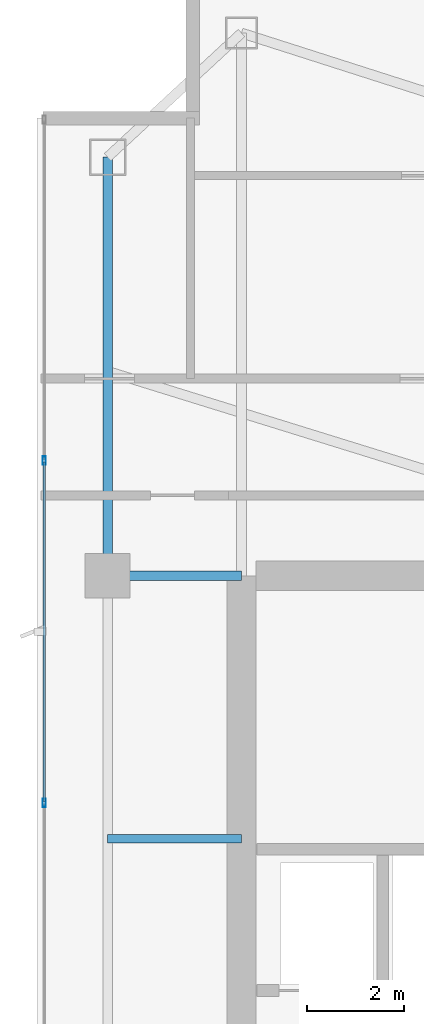
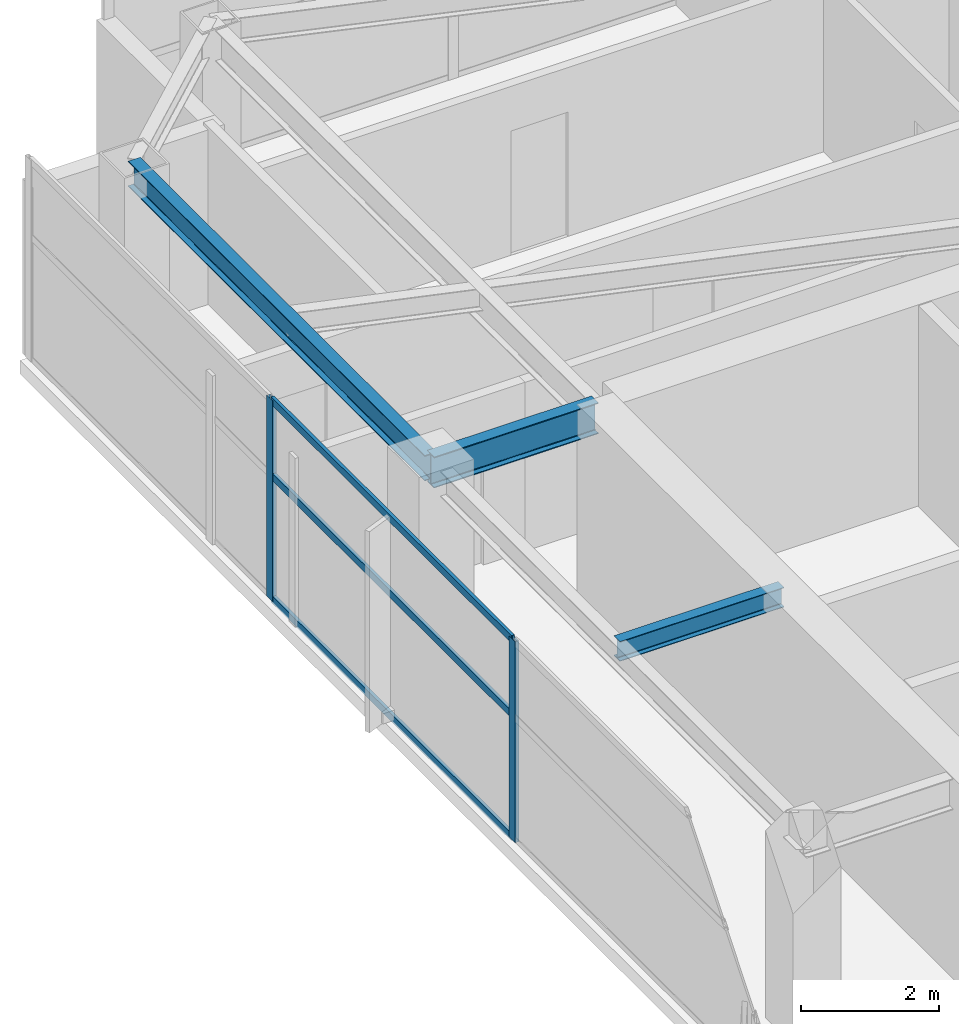
# One storey, part 16 of 28: 5 members, 3 beams, 1 element without a shape of its own.
"""IFC4 building model written with IfcOpenShell, lengths in metres."""

import ifcopenshell
import ifcopenshell.guid

model = None  # the IFC model being written
_history = None  # IfcOwnerHistory: only IFC2X3 demands one
_inside = {}  # id of a spatial element -> (the spatial element, [elements in it])
_under = {}  # id of a project, library or spatial element -> (it, [spatial elements below it])
_declared = {}  # id of a project -> (the project, [libraries it declares])
_typed = {}  # id of a type object -> (the type object, [elements of that type])
_made_of = {}  # id of a material, layer set ... -> (it, [elements and type objects made of it])


def new_model(schema):
    """Start an empty IFC model of exactly this schema.

    Asked for "IFC4X3", IfcOpenShell would pick the latest addendum, in which some entities
    have other attributes; the version numbers below select the first issue.
    IFC2X3 requires an IfcOwnerHistory on every rooted entity: one is made here for all.
    """
    global model, _history
    if schema == "IFC4X3":
        model = ifcopenshell.file(schema_version=(4, 3, 0, 0))
    else:
        model = ifcopenshell.file(schema=schema)
    _inside.clear()
    _under.clear()
    _declared.clear()
    _typed.clear()
    _made_of.clear()
    _history = None
    if model.schema == "IFC2X3":
        org = make("IfcOrganization", Name="unknown")
        user = make(
            "IfcPersonAndOrganization",
            ThePerson=make("IfcPerson", FamilyName="unknown"),
            TheOrganization=org,
        )
        app = make(
            "IfcApplication",
            ApplicationDeveloper=org,
            Version="unknown",
            ApplicationFullName="unknown",
            ApplicationIdentifier="unknown",
        )
        _history = make(
            "IfcOwnerHistory",
            OwningUser=user,
            OwningApplication=app,
            ChangeAction="ADDED",
            CreationDate=0,
        )
    return model


def make(cls, **values):
    """One entity of the class cls with the attributes given. An attribute that is None is left unset."""
    return model.create_entity(
        cls, **{name: value for name, value in values.items() if value is not None}
    )


def rooted(cls, **values):
    """An entity with a GlobalId (a new one), such as an element, a storey or a relation."""
    return make(cls, GlobalId=ifcopenshell.guid.new(), OwnerHistory=_history, **values)


def si_unit(unit_type, name, prefix=None):
    """IfcSIUnit, for example si_unit("LENGTHUNIT", "METRE", prefix="MILLI")."""
    return make("IfcSIUnit", UnitType=unit_type, Prefix=prefix, Name=name)


def assignment(units):
    """IfcUnitAssignment: the units of a project."""
    return None if units is None else make("IfcUnitAssignment", Units=units)


def point(xyz):
    """IfcCartesianPoint."""
    return None if xyz is None else make("IfcCartesianPoint", Coordinates=xyz)


def direction(xyz):
    """IfcDirection."""
    return None if xyz is None else make("IfcDirection", DirectionRatios=xyz)


def frame(location, z_axis=None, x_axis=None):
    """IfcAxis2Placement3D, a coordinate frame: its origin and axes. An axis left out is left unset."""
    return make(
        "IfcAxis2Placement3D",
        Location=point(location),
        Axis=direction(z_axis),
        RefDirection=direction(x_axis),
    )


def frame_2d(location, x_axis=None):
    """IfcAxis2Placement2D, a coordinate frame in the plane: its origin and x axis."""
    return make(
        "IfcAxis2Placement2D", Location=point(location), RefDirection=direction(x_axis)
    )


def origin():
    """The frame at (0, 0, 0) with its axes left unset."""
    return frame((0.0, 0.0, 0.0))


def origin_2d():
    """The frame at (0, 0) in the plane with its x axis left unset."""
    return frame_2d((0.0, 0.0))


def place(relative_to, where):
    """IfcLocalPlacement: puts the frame where relative to a parent placement (None: the world)."""
    return make(
        "IfcLocalPlacement", PlacementRelTo=relative_to, RelativePlacement=where
    )


def context(
    kind, dimensions, precision=None, world=None, true_north=None, identifier=None
):
    """IfcGeometricRepresentationContext, for example the 3D "Model" context."""
    return make(
        "IfcGeometricRepresentationContext",
        ContextIdentifier=identifier,
        ContextType=kind,
        CoordinateSpaceDimension=dimensions,
        Precision=precision,
        WorldCoordinateSystem=world,
        TrueNorth=true_north,
    )


def subcontext(parent, identifier, kind, view, scale=None):
    """IfcGeometricRepresentationSubContext, for example "Body" below "Model"."""
    return make(
        "IfcGeometricRepresentationSubContext",
        ContextIdentifier=identifier,
        ContextType=kind,
        ParentContext=parent,
        TargetScale=scale,
        TargetView=view,
    )


def project(units=None, contexts=None):
    """IfcProject with its units and contexts."""
    return rooted(
        "IfcProject",
        Name="project",
        RepresentationContexts=contexts,
        UnitsInContext=assignment(units),
    )


def spatial(cls, under=None, at=None, **own):
    """A site, building, storey or space (cls), placed at a placement, below another one or the project."""
    s = rooted(cls, ObjectPlacement=at, **own)
    if under is not None:
        _under.setdefault(under.id(), (under, []))[1].append(s)
    return s


def profile(cls, at=None, kind="AREA", **sizes):
    """A parametric profile (cls). Its sizes go by their IFC names, for example OverallWidth=200.0."""
    return make(cls, ProfileType=kind, Position=at, **sizes)


def hollow_rectangle(**sizes):
    """IfcRectangleHollowProfileDef."""
    return profile("IfcRectangleHollowProfileDef", **sizes)


def i_section(**sizes):
    """IfcIShapeProfileDef."""
    return profile("IfcIShapeProfileDef", **sizes)


def extrude(swept, where, along, depth):
    """IfcExtrudedAreaSolid: the profile swept, set in the frame where, extruded along a direction by depth."""
    return make(
        "IfcExtrudedAreaSolid",
        SweptArea=swept,
        Position=where,
        ExtrudedDirection=direction(along),
        Depth=depth,
    )


def shape(context_of_items, identifier, shape_type, items):
    """IfcShapeRepresentation: the items that make up one representation, for example the "Body"."""
    return make(
        "IfcShapeRepresentation",
        ContextOfItems=context_of_items,
        RepresentationIdentifier=identifier,
        RepresentationType=shape_type,
        Items=items,
    )


def material(Name=None, Category=None):
    """IfcMaterial."""
    return make("IfcMaterial", Name=Name, Category=Category)


def layer(
    of_material, thickness, ventilated=None, Name=None, Category=None, Priority=None
):
    """IfcMaterialLayer: one layer of a wall or slab, of a material (None: an air gap)."""
    return make(
        "IfcMaterialLayer",
        Material=of_material,
        LayerThickness=thickness,
        IsVentilated=ventilated,
        Name=Name,
        Category=Category,
        Priority=Priority,
    )


def layer_set(layers, Name=None):
    """IfcMaterialLayerSet."""
    return make("IfcMaterialLayerSet", MaterialLayers=layers, LayerSetName=Name)


def material_profile(
    of_material, cross_section, Name=None, Category=None, Priority=None
):
    """IfcMaterialProfile: a cross section and its material."""
    return make(
        "IfcMaterialProfile",
        Name=Name,
        Material=of_material,
        Profile=cross_section,
        Priority=Priority,
        Category=Category,
    )


def profile_set(profiles, Name=None, composite=None):
    """IfcMaterialProfileSet."""
    return make(
        "IfcMaterialProfileSet",
        Name=Name,
        MaterialProfiles=profiles,
        CompositeProfile=composite,
    )


def made_of(thing, what):
    """Note that an element or type object is made of a material, layer set ...; save() writes the relation."""
    if what is not None:
        _made_of.setdefault(what.id(), (what, []))[1].append(thing)
    return thing


def type_object(cls, material=None, **own):
    """A type object (cls), such as IfcWallType, which elements share."""
    return made_of(rooted(cls, **own), material)


def element(
    cls,
    number,
    at=None,
    inside=None,
    cuts=None,
    type_object=None,
    material=None,
    context=None,
    identifier="Body",
    shape_type=None,
    held_by="IfcProductDefinitionShape",
    body=None,
    shapes=None,
    **own,
):
    """One element of the class cls, such as IfcWall. Its Tag is "e" and its number.

    at: its placement. inside: the storey or other place that contains it. cuts: it is an
    opening in that element (IfcRelVoidsElement). A single representation is given by context,
    identifier, shape_type and body (its items); several are given by shapes. held_by: the class
    of the entity that holds the representations. save() writes the other relations.
    """
    e = rooted(cls, Tag="e%d" % number, ObjectPlacement=at, **own)
    if body is not None:
        shapes = [shape(context, identifier, shape_type, body)]
    if shapes is not None:
        e.Representation = make(held_by, Representations=shapes)
    if inside is not None:
        _inside.setdefault(inside.id(), (inside, []))[1].append(e)
    if cuts is not None:
        rooted(
            "IfcRelVoidsElement", RelatingBuildingElement=cuts, RelatedOpeningElement=e
        )
    if type_object is not None:
        _typed.setdefault(type_object.id(), (type_object, []))[1].append(e)
    return made_of(e, material)


def aggregate(whole, parts):
    """IfcRelAggregates: a whole, such as a stair, and the parts it consists of."""
    return rooted("IfcRelAggregates", RelatingObject=whole, RelatedObjects=parts)


def save(model, path):
    """Write the relations noted so far, then the file.

    IfcRelAggregates (storeys below a building ...), IfcRelContainedInSpatialStructure (elements
    in a storey), IfcRelDefinesByType, IfcRelAssociatesMaterial and IfcRelDeclares: one each for
    every whole, place, type object, material and project.
    """
    for whole, parts in _under.values():
        aggregate(whole, parts)
    for where, things in _inside.values():
        rooted(
            "IfcRelContainedInSpatialStructure",
            RelatedElements=things,
            RelatingStructure=where,
        )
    for kind, things in _typed.values():
        rooted("IfcRelDefinesByType", RelatedObjects=things, RelatingType=kind)
    for what, things in _made_of.values():
        rooted("IfcRelAssociatesMaterial", RelatedObjects=things, RelatingMaterial=what)
    for by, libraries in _declared.values():
        rooted("IfcRelDeclares", RelatingContext=by, RelatedDefinitions=libraries)
    model.write(path)


model = new_model("IFC4")

# Units and contexts
model_context = context("Model", 3, precision=1e-05, world=origin(), true_north=direction((0.0, 1.0)))
body_context = subcontext(model_context, "Body", "Model", "MODEL_VIEW")
ifc_project = project(units=[si_unit("LENGTHUNIT", "METRE"), si_unit("AREAUNIT", "SQUARE_METRE"), si_unit("VOLUMEUNIT", "CUBIC_METRE"), si_unit("PLANEANGLEUNIT", "RADIAN"), si_unit("MASSUNIT", "GRAM", prefix="KILO")], contexts=[model_context])

# Site, building, storey
site_placement = place(None, origin())
site = spatial("IfcSite", under=ifc_project, at=site_placement, CompositionType="ELEMENT")
building_placement = place(site_placement, origin())
building = spatial("IfcBuilding", under=site, at=building_placement, Name="Calvorn Quay Hotel", CompositionType="ELEMENT")
storey_placement = place(building_placement, frame((0.0, 0.0, 271.10009765625)))
storey = spatial("IfcBuildingStorey", under=building, at=storey_placement, Name="L67", CompositionType="ELEMENT", Elevation=271.10009765625)

# Beams
ifc_material_1 = material(Name="Steel Q355B", Category="steel")
ifc_material_profile_1 = material_profile(ifc_material_1, i_section(OverallWidth=0.199951171875, OverallDepth=0.550048828125, WebThickness=0.010009765625, FlangeThickness=0.01611328125, FilletRadius=0.01806640625, at=origin_2d()), Name="HN550x200x10x16")
ifc_profile_set_1 = profile_set([ifc_material_profile_1], Name="Steel Q355B")
beam_type_1 = type_object("IfcBeamType", Name="BM-GIRD-UPP", PredefinedType="BEAM", material=ifc_profile_set_1)
beam_1_placement = place(storey_placement, frame((1.449951171875, 38.39990234375, 3.264892578125), z_axis=(1.0, 0.0, 0.0), x_axis=(0.0, 1.0, 0.0)))
element("IfcBeam", 1, at=beam_1_placement, inside=storey, type_object=beam_type_1, Name="Beam BG-L67-W3", PredefinedType="BEAM", context=body_context, shape_type="SweptSolid", body=[
    extrude(i_section(OverallWidth=0.199951171875, OverallDepth=0.550048828125, WebThickness=0.010009765625, FlangeThickness=0.01611328125, FilletRadius=0.01806640625, at=origin_2d()), origin(), (0.0, 0.0, 1.0), 2.75),
])
ifc_material_2 = material(Name="Steel Q355B", Category="steel")
ifc_material_profile_2 = material_profile(ifc_material_2, i_section(OverallWidth=0.175048828125, OverallDepth=0.35009765625, WebThickness=0.007080078125, FlangeThickness=0.010986328125, FilletRadius=0.013916015625, at=origin_2d()), Name="HN350x175x7x11")
ifc_profile_set_2 = profile_set([ifc_material_profile_2], Name="Steel Q355B")
beam_type_2 = type_object("IfcBeamType", Name="BM-JOIST-SEC", PredefinedType="JOIST", material=ifc_profile_set_2)
beam_2_placement = place(storey_placement, frame((1.449951171875, 33.0, 3.364990234375), z_axis=(1.0, 0.0, 0.0), x_axis=(0.0, 1.0, 0.0)))
element("IfcBeam", 2, at=beam_2_placement, inside=storey, type_object=beam_type_2, Name="Beam BJ-L67-W4", PredefinedType="JOIST", context=body_context, shape_type="SweptSolid", body=[
    extrude(i_section(OverallWidth=0.175048828125, OverallDepth=0.35009765625, WebThickness=0.007080078125, FlangeThickness=0.010986328125, FilletRadius=0.013916015625, at=origin_2d()), origin(), (0.0, 0.0, 1.0), 2.75),
])
ifc_material_3 = material(Name="Steel Q355B", Category="steel")
ifc_material_profile_3 = material_profile(ifc_material_3, i_section(OverallWidth=0.199951171875, OverallDepth=0.449951171875, WebThickness=0.009033203125, FlangeThickness=0.013916015625, FilletRadius=0.01611328125, at=origin_2d()), Name="HN450x200x9x14")
ifc_profile_set_3 = profile_set([ifc_material_profile_3], Name="Steel Q355B")
beam_type_3 = type_object("IfcBeamType", Name="BM-SPANDREL-Z3", PredefinedType="SPANDREL", material=ifc_profile_set_3)
beam_3_placement = place(storey_placement, frame((1.449951171875, 38.39990234375, 3.31494140625), z_axis=(0.0, 1.0, 0.0), x_axis=(-1.0, 0.0, 0.0)))
element("IfcBeam", 3, at=beam_3_placement, inside=storey, type_object=beam_type_3, Name="Beam BSP-L67-W4", PredefinedType="SPANDREL", context=body_context, shape_type="SweptSolid", body=[
    extrude(i_section(OverallWidth=0.199951171875, OverallDepth=0.449951171875, WebThickness=0.009033203125, FlangeThickness=0.013916015625, FilletRadius=0.01611328125, at=origin_2d()), origin(), (0.0, 0.0, 1.0), 8.60009765625),
])

# Curtain wall, members
ifc_material_4 = material(Name="Champagne Bronze Anodised Aluminium and Low-E Glass", Category="aluminium")
ifc_layer = layer(ifc_material_4, 0.219970703125)
ifc_layer_set = layer_set([ifc_layer], Name="CW-SYS-Z4")
curtain_wall_type = type_object("IfcCurtainWallType", Name="CW-SYS-Z4", PredefinedType="NOTDEFINED", material=ifc_layer_set)
curtain_wall_placement = place(storey_placement, origin())
curtain_wall = element("IfcCurtainWall", 4, at=curtain_wall_placement, inside=storey, type_object=curtain_wall_type, Name="Tower West Curtain Wall (L67)", PredefinedType="NOTDEFINED")
ifc_material_5 = material(Name="Champagne Bronze Anodised Aluminium 6063-T6", Category="aluminium")
ifc_material_profile_4 = material_profile(ifc_material_5, hollow_rectangle(XDim=0.06494140625, YDim=0.169921875, WallThickness=0.00341796875, at=origin_2d()), Name="ALU-M170x65x3.5")
ifc_profile_set_4 = profile_set([ifc_material_profile_4], Name="Champagne Bronze Anodised Aluminium 6063-T6")
member_type_1 = type_object("IfcMemberType", Name="CW-SYS-Z4-MUL", PredefinedType="MULLION", material=ifc_profile_set_4)
member_1_placement = place(storey_placement, frame((0.14990234375, 33.7333984375, 0.0), z_axis=(0.0, 0.0, 1.0), x_axis=(-1.0, 0.0, 0.0)))
member_1 = element("IfcMember", 5, at=member_1_placement, type_object=member_type_1, Name="CW-L67-W mullion 5", PredefinedType="MULLION", context=body_context, shape_type="SweptSolid", body=[
    extrude(hollow_rectangle(XDim=0.06494140625, YDim=0.169921875, WallThickness=0.00341796875, at=origin_2d()), origin(), (0.0, 0.0, 1.0), 3.559814453125),
])
member_2_placement = place(storey_placement, frame((0.14990234375, 40.7666015625, 0.0), z_axis=(0.0, 0.0, 1.0), x_axis=(-1.0, 0.0, 0.0)))
member_2 = element("IfcMember", 6, at=member_2_placement, type_object=member_type_1, Name="CW-L67-W mullion 6", PredefinedType="MULLION", context=body_context, shape_type="SweptSolid", body=[
    extrude(hollow_rectangle(XDim=0.06494140625, YDim=0.169921875, WallThickness=0.00341796875, at=origin_2d()), origin(), (0.0, 0.0, 1.0), 3.559814453125),
])
ifc_material_6 = material(Name="Champagne Bronze Anodised Aluminium 6063-T6", Category="aluminium")
ifc_material_profile_5 = material_profile(ifc_material_6, hollow_rectangle(XDim=0.054931640625, YDim=0.1298828125, WallThickness=0.003173828125, at=origin_2d()), Name="ALU-T130x55x3.2")
ifc_profile_set_5 = profile_set([ifc_material_profile_5], Name="Champagne Bronze Anodised Aluminium 6063-T6")
member_type_2 = type_object("IfcMemberType", Name="CW-SYS-Z4-TRN", PredefinedType="USERDEFINED", material=ifc_profile_set_5)
member_3_placement = place(storey_placement, frame((0.14990234375, 33.763427734375, 0.02978515625), z_axis=(0.0, 1.0, 0.0), x_axis=(-1.0, 0.0, 0.0)))
member_3 = element("IfcMember", 7, at=member_3_placement, type_object=member_type_2, Name="CW-L67-W transom 5.1", ObjectType="TRANSOM", PredefinedType="USERDEFINED", context=body_context, shape_type="SweptSolid", body=[
    extrude(hollow_rectangle(XDim=0.054931640625, YDim=0.1298828125, WallThickness=0.003173828125, at=origin_2d()), origin(), (0.0, 0.0, 1.0), 6.97314453125),
])
member_4_placement = place(storey_placement, frame((0.14990234375, 33.763427734375, 2.199951171875), z_axis=(0.0, 1.0, 0.0), x_axis=(-1.0, 0.0, 0.0)))
member_4 = element("IfcMember", 8, at=member_4_placement, type_object=member_type_2, Name="CW-L67-W transom 5.2", ObjectType="TRANSOM", PredefinedType="USERDEFINED", context=body_context, shape_type="SweptSolid", body=[
    extrude(hollow_rectangle(XDim=0.054931640625, YDim=0.1298828125, WallThickness=0.003173828125, at=origin_2d()), origin(), (0.0, 0.0, 1.0), 6.97314453125),
])
member_5_placement = place(storey_placement, frame((0.14990234375, 33.763427734375, 3.52978515625), z_axis=(0.0, 1.0, 0.0), x_axis=(-1.0, 0.0, 0.0)))
member_5 = element("IfcMember", 9, at=member_5_placement, type_object=member_type_2, Name="CW-L67-W transom 5.3", ObjectType="TRANSOM", PredefinedType="USERDEFINED", context=body_context, shape_type="SweptSolid", body=[
    extrude(hollow_rectangle(XDim=0.054931640625, YDim=0.1298828125, WallThickness=0.003173828125, at=origin_2d()), origin(), (0.0, 0.0, 1.0), 6.97314453125),
])
aggregate(curtain_wall, [member_1, member_2, member_3, member_4, member_5])

save(model, "model.ifc")
